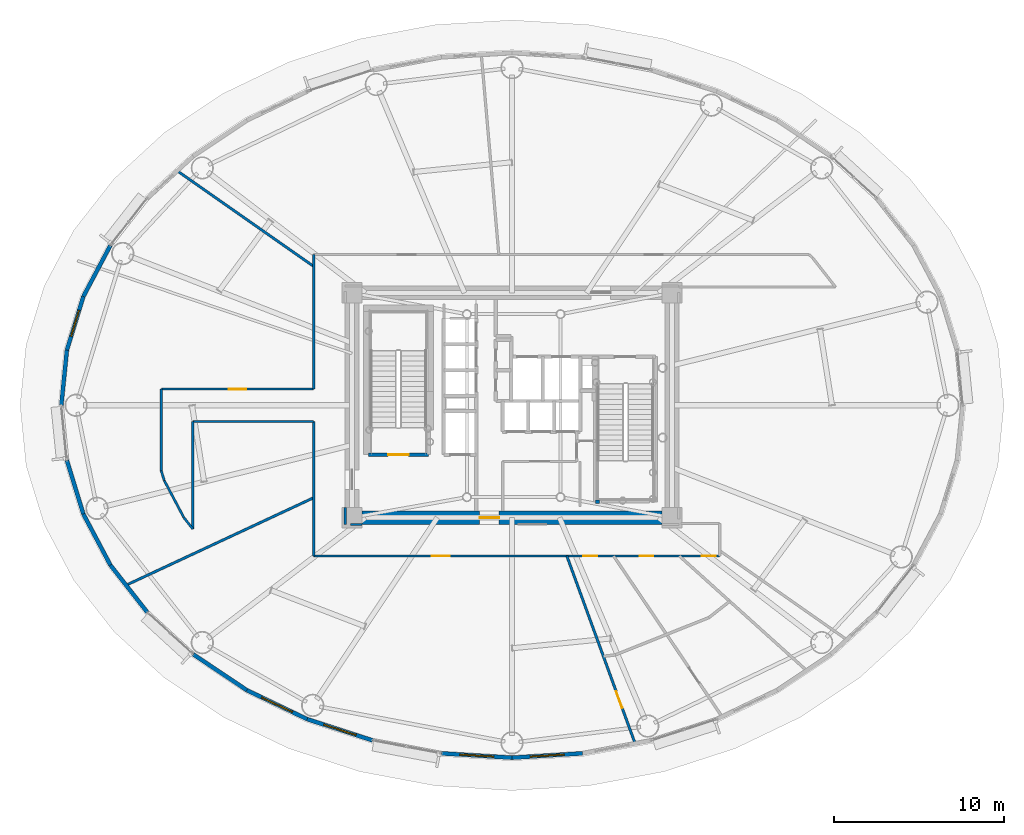
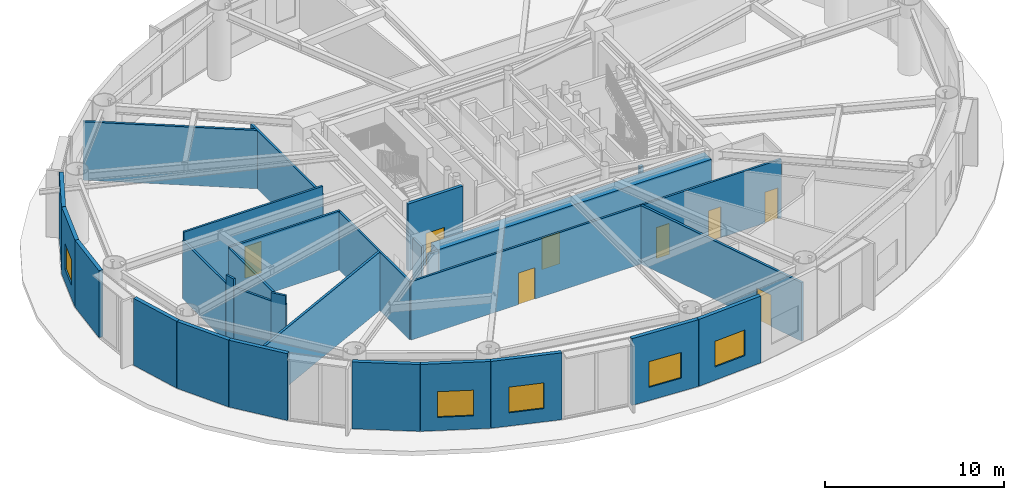
# One storey, part 27 of 38: 29 walls, 8 doors, 5 windows, 13 openings.
"""IFC4 building model written with IfcOpenShell, lengths in metres."""

from ifc_helpers import new_model, si_unit, direction, frame, frame_2d, origin, origin_2d, place, context, subcontext, project, spatial, rectangle, extrude, source, transform, mapped, material, layer, layer_set, type_object, element, fill, save


model = new_model("IFC4")

# Units and contexts
model_context = context("Model", 3, precision=1e-05, world=origin(), true_north=direction((0.0, 1.0)))
body_context = subcontext(model_context, "Body", "Model", "MODEL_VIEW")
ifc_project = project(units=[si_unit("LENGTHUNIT", "METRE"), si_unit("AREAUNIT", "SQUARE_METRE"), si_unit("VOLUMEUNIT", "CUBIC_METRE"), si_unit("PLANEANGLEUNIT", "RADIAN"), si_unit("MASSUNIT", "GRAM", prefix="KILO")], contexts=[model_context])

# Site, building, storey
site_placement = place(None, origin())
site = spatial("IfcSite", under=ifc_project, at=site_placement, CompositionType="ELEMENT")
building_placement = place(site_placement, origin())
building = spatial("IfcBuilding", under=site, at=building_placement, Name="Linh Dai School and Residence Tower", CompositionType="ELEMENT")
storey_placement = place(building_placement, frame((0.0, 0.0, 151.35009765625)))
storey = spatial("IfcBuildingStorey", under=building, at=storey_placement, Name="L36", CompositionType="ELEMENT", Elevation=151.35009765625)

# Wall
ifc_material_1 = material(Name="Precast Concrete B45 (C35/45)", Category="concrete")
ifc_layer_1 = layer(ifc_material_1, 0.239990234375)
ifc_layer_set_1 = layer_set([ifc_layer_1], Name="Precast Concrete B45 (C35/45)")
wall_type_1 = type_object("IfcWallType", Name="EW-TC-240", PredefinedType="SOLIDWALL", material=ifc_layer_set_1)
wall_1_placement = place(storey_placement, frame((10.8173828125, 33.388916015625, 0.0), z_axis=(0.0, 0.0, 1.0), x_axis=(0.467586874938, 0.88394712194, 0.0)))
element("IfcWall", 1, at=wall_1_placement, inside=storey, type_object=wall_type_1, Name="L36 Terracotta Exterior Wall 18", PredefinedType="SOLIDWALL", context=body_context, shape_type="SweptSolid", body=[
    extrude(rectangle(XDim=3.393310546875, YDim=0.239990234375, at=frame_2d((1.69677734375, 0.0))), origin(), (0.0, 0.0, 1.0), 4.5498046875),
])

# Wall, opening, window
wall_2_placement = place(storey_placement, frame((9.85009765625, 30.233642578125, 0.0), z_axis=(0.0, 0.0, 1.0), x_axis=(0.293097995113, 0.956082405058, 0.0)))
wall_2 = element("IfcWall", 2, at=wall_2_placement, inside=storey, type_object=wall_type_1, Name="L36 Terracotta Exterior Wall 19", PredefinedType="SOLIDWALL", context=body_context, shape_type="SweptSolid", body=[
    extrude(rectangle(XDim=3.30029296875, YDim=0.239990234375, at=frame_2d((1.650146484375, 0.0))), origin(), (0.0, 0.0, 1.0), 4.5498046875),
])
opening_1_placement = place(wall_2_placement, frame((0.85009765625, 0.0, 0.89990234375)))
opening_1 = element("IfcOpeningElement", 3, at=opening_1_placement, cuts=wall_2, Name="Opening W2", PredefinedType="OPENING", context=body_context, shape_type="SweptSolid", body=[
    extrude(rectangle(XDim=1.60009765625, YDim=1.75, at=origin_2d()), frame((0.800048828125, 0.1298828125, 0.875), z_axis=(0.0, -1.0, 0.0), x_axis=(1.0, 0.0, 0.0)), (0.0, 0.0, 1.0), 0.260009765625),
])
ifc_material_2 = material(Name="Double Low-E Insulated Glazing", Category="glass")
window_type_1 = type_object("IfcWindowType", Name="WN-RES-1600x1750", PartitioningType="DOUBLE_PANEL_VERTICAL", PredefinedType="WINDOW", material=ifc_material_2)
shared_shape_1 = source(origin(), body_context, "Body", "SweptSolid", [
    extrude(rectangle(XDim=1.60009765625, YDim=1.75, at=origin_2d()), frame((0.800048828125, 0.030029296875, 0.875), z_axis=(0.0, -1.0, 0.0), x_axis=(1.0, 0.0, 0.0)), (0.0, 0.0, 1.0), 0.06005859375),
])
window_1_placement = place(opening_1_placement, origin())
window_1 = element("IfcWindow", 4, at=window_1_placement, inside=storey, type_object=window_type_1, Name="L36 Exterior Window 19.1", OverallHeight=1.75, OverallWidth=1.60009765625, PartitioningType="DOUBLE_PANEL_VERTICAL", PredefinedType="WINDOW", context=body_context, shape_type="MappedRepresentation", body=[
    mapped(shared_shape_1, transform((0.0, 0.0, 0.0), x_axis=(1.0, 0.0, 0.0), y_axis=(0.0, 1.0, 0.0), z_axis=(0.0, 0.0, 1.0), scale=1.0)),
])
fill(opening_1, window_1)

# Walls
wall_3_placement = place(storey_placement, frame((9.52490234375, 27.0, 0.0), z_axis=(0.0, 0.0, 1.0), x_axis=(0.100061534614, 0.994981250723, 0.0)))
element("IfcWall", 5, at=wall_3_placement, inside=storey, type_object=wall_type_1, Name="L36 Terracotta Exterior Wall 20", PredefinedType="SOLIDWALL", context=body_context, shape_type="SweptSolid", body=[
    extrude(rectangle(XDim=3.25, YDim=0.239990234375, at=frame_2d((1.625, 0.0))), origin(), (0.0, 0.0, 1.0), 4.5498046875),
])
wall_4_placement = place(storey_placement, frame((10.8173828125, 20.611083984375, 0.0), z_axis=(0.0, 0.0, 1.0), x_axis=(-0.293097995113, 0.956082405058, 0.0)))
element("IfcWall", 6, at=wall_4_placement, inside=storey, type_object=wall_type_1, Name="L36 Terracotta Exterior Wall 22", PredefinedType="SOLIDWALL", context=body_context, shape_type="SweptSolid", body=[
    extrude(rectangle(XDim=3.30029296875, YDim=0.239990234375, at=frame_2d((1.650146484375, 0.0))), origin(), (0.0, 0.0, 1.0), 4.5498046875),
])
wall_5_placement = place(storey_placement, frame((12.404052734375, 17.611572265625, 0.0), z_axis=(0.0, 0.0, 1.0), x_axis=(-0.467586874938, 0.88394712194, 0.0)))
element("IfcWall", 7, at=wall_5_placement, inside=storey, type_object=wall_type_1, Name="L36 Terracotta Exterior Wall 23", PredefinedType="SOLIDWALL", context=body_context, shape_type="SweptSolid", body=[
    extrude(rectangle(XDim=3.393310546875, YDim=0.239990234375, at=frame_2d((1.69677734375, 0.0))), origin(), (0.0, 0.0, 1.0), 4.5498046875),
])
wall_6_placement = place(storey_placement, frame((14.57177734375, 14.841552734375, 0.0), z_axis=(0.0, 0.0, 1.0), x_axis=(-0.616287674549, 0.787521112224, 0.0)))
element("IfcWall", 8, at=wall_6_placement, inside=storey, type_object=wall_type_1, Name="L36 Terracotta Exterior Wall 24", PredefinedType="SOLIDWALL", context=body_context, shape_type="SweptSolid", body=[
    extrude(rectangle(XDim=3.517333984375, YDim=0.239990234375, at=frame_2d((1.7587890625, 0.0))), origin(), (0.0, 0.0, 1.0), 4.5498046875),
])
wall_7_placement = place(storey_placement, frame((20.4267578125, 10.2568359375, 0.0), z_axis=(0.0, 0.0, 1.0), x_axis=(-0.831228998277, 0.555930168657, 0.0)))
element("IfcWall", 9, at=wall_7_placement, inside=storey, type_object=wall_type_1, Name="L36 Terracotta Exterior Wall 26", PredefinedType="SOLIDWALL", context=body_context, shape_type="SweptSolid", body=[
    extrude(rectangle(XDim=3.800048828125, YDim=0.239990234375, at=frame_2d((1.89990234375, 0.0))), origin(), (0.0, 0.0, 1.0), 4.5498046875),
])

# Wall, opening, window
wall_8_placement = place(storey_placement, frame((23.97021484375, 8.556396484375, 0.0), z_axis=(0.0, 0.0, 1.0), x_axis=(-0.901564733809, 0.432644231155, 0.0)))
wall_8 = element("IfcWall", 10, at=wall_8_placement, inside=storey, type_object=wall_type_1, Name="L36 Terracotta Exterior Wall 27", PredefinedType="SOLIDWALL", context=body_context, shape_type="SweptSolid", body=[
    extrude(rectangle(XDim=3.930419921875, YDim=0.239990234375, at=frame_2d((1.96533203125, 0.0))), origin(), (0.0, 0.0, 1.0), 4.5498046875),
])
opening_2_placement = place(wall_8_placement, frame((0.965087890625, 0.0, 0.89990234375)))
opening_2 = element("IfcOpeningElement", 11, at=opening_2_placement, cuts=wall_8, Name="Opening W1", PredefinedType="OPENING", context=body_context, shape_type="SweptSolid", body=[
    extrude(rectangle(XDim=2.0, YDim=1.75, at=origin_2d()), frame((1.0, 0.1298828125, 0.875), z_axis=(0.0, -1.0, 0.0), x_axis=(1.0, 0.0, 0.0)), (0.0, 0.0, 1.0), 0.260009765625),
])
window_type_2 = type_object("IfcWindowType", Name="WN-RES-2000x1750", PartitioningType="DOUBLE_PANEL_VERTICAL", PredefinedType="WINDOW", material=ifc_material_2)
shared_shape_2 = source(origin(), body_context, "Body", "SweptSolid", [
    extrude(rectangle(XDim=2.0, YDim=1.75, at=origin_2d()), frame((1.0, 0.030029296875, 0.875), z_axis=(0.0, -1.0, 0.0), x_axis=(1.0, 0.0, 0.0)), (0.0, 0.0, 1.0), 0.06005859375),
])
window_2_placement = place(opening_2_placement, origin())
window_2 = element("IfcWindow", 12, at=window_2_placement, inside=storey, type_object=window_type_2, Name="L36 Exterior Window 27.1", OverallHeight=1.75, OverallWidth=2.0, PartitioningType="DOUBLE_PANEL_VERTICAL", PredefinedType="WINDOW", context=body_context, shape_type="MappedRepresentation", body=[
    mapped(shared_shape_2, transform((0.0, 0.0, 0.0), x_axis=(1.0, 0.0, 0.0), y_axis=(0.0, 1.0, 0.0), z_axis=(0.0, 0.0, 1.0), scale=1.0)),
])
fill(opening_2, window_2)

wall_9_placement = place(storey_placement, frame((27.81103515625, 7.310546875, 0.0), z_axis=(0.0, 0.0, 1.0), x_axis=(-0.951209870236, 0.30854462038, 0.0)))
wall_9 = element("IfcWall", 13, at=wall_9_placement, inside=storey, type_object=wall_type_1, Name="L36 Terracotta Exterior Wall 28", PredefinedType="SOLIDWALL", context=body_context, shape_type="SweptSolid", body=[
    extrude(rectangle(XDim=4.037841796875, YDim=0.239990234375, at=frame_2d((2.01904296875, 0.0))), origin(), (0.0, 0.0, 1.0), 4.5498046875),
])
opening_3_placement = place(wall_9_placement, frame((1.018798828125, 0.0, 0.89990234375)))
opening_3 = element("IfcOpeningElement", 14, at=opening_3_placement, cuts=wall_9, Name="Opening W1", PredefinedType="OPENING", context=body_context, shape_type="SweptSolid", body=[
    extrude(rectangle(XDim=2.0, YDim=1.75, at=origin_2d()), frame((1.0, 0.1298828125, 0.875), z_axis=(0.0, -1.0, 0.0), x_axis=(1.0, 0.0, 0.0)), (0.0, 0.0, 1.0), 0.260009765625),
])
window_3_placement = place(opening_3_placement, origin())
window_3 = element("IfcWindow", 15, at=window_3_placement, inside=storey, type_object=window_type_2, Name="L36 Exterior Window 28.1", OverallHeight=1.75, OverallWidth=2.0, PartitioningType="DOUBLE_PANEL_VERTICAL", PredefinedType="WINDOW", context=body_context, shape_type="MappedRepresentation", body=[
    mapped(shared_shape_2, transform((0.0, 0.0, 0.0), x_axis=(1.0, 0.0, 0.0), y_axis=(0.0, 1.0, 0.0), z_axis=(0.0, 0.0, 1.0), scale=1.0)),
])
fill(opening_3, window_3)

wall_10_placement = place(storey_placement, frame((36.0, 6.294921875, 0.0), z_axis=(0.0, 0.0, 1.0), x_axis=(-0.998104600619, 0.061540281305, 0.0)))
wall_10 = element("IfcWall", 16, at=wall_10_placement, inside=storey, type_object=wall_type_1, Name="L36 Terracotta Exterior Wall 30", PredefinedType="SOLIDWALL", context=body_context, shape_type="SweptSolid", body=[
    extrude(rectangle(XDim=4.153564453125, YDim=0.239990234375, at=frame_2d((2.07666015625, 0.0))), origin(), (0.0, 0.0, 1.0), 4.5498046875),
])
opening_4_placement = place(wall_10_placement, frame((1.076904296875, 0.0, 0.89990234375)))
opening_4 = element("IfcOpeningElement", 17, at=opening_4_placement, cuts=wall_10, Name="Opening W1", PredefinedType="OPENING", context=body_context, shape_type="SweptSolid", body=[
    extrude(rectangle(XDim=2.0, YDim=1.75, at=origin_2d()), frame((1.0, 0.1298828125, 0.875), z_axis=(0.0, -1.0, 0.0), x_axis=(1.0, 0.0, 0.0)), (0.0, 0.0, 1.0), 0.260009765625),
])
window_4_placement = place(opening_4_placement, origin())
window_4 = element("IfcWindow", 18, at=window_4_placement, inside=storey, type_object=window_type_2, Name="L36 Exterior Window 30.1", OverallHeight=1.75, OverallWidth=2.0, PartitioningType="DOUBLE_PANEL_VERTICAL", PredefinedType="WINDOW", context=body_context, shape_type="MappedRepresentation", body=[
    mapped(shared_shape_2, transform((0.0, 0.0, 0.0), x_axis=(1.0, 0.0, 0.0), y_axis=(0.0, 1.0, 0.0), z_axis=(0.0, 0.0, 1.0), scale=1.0)),
])
fill(opening_4, window_4)

wall_11_placement = place(storey_placement, frame((40.145751953125, 6.550537109375, 0.0), z_axis=(0.0, 0.0, 1.0), x_axis=(-0.998104600619, -0.061540281305, 0.0)))
wall_11 = element("IfcWall", 19, at=wall_11_placement, inside=storey, type_object=wall_type_1, Name="L36 Terracotta Exterior Wall 31", PredefinedType="SOLIDWALL", context=body_context, shape_type="SweptSolid", body=[
    extrude(rectangle(XDim=4.153564453125, YDim=0.239990234375, at=frame_2d((2.07666015625, 0.0))), origin(), (0.0, 0.0, 1.0), 4.5498046875),
])
opening_5_placement = place(wall_11_placement, frame((1.076904296875, 0.0, 0.89990234375)))
opening_5 = element("IfcOpeningElement", 20, at=opening_5_placement, cuts=wall_11, Name="Opening W1", PredefinedType="OPENING", context=body_context, shape_type="SweptSolid", body=[
    extrude(rectangle(XDim=2.0, YDim=1.75, at=origin_2d()), frame((1.0, 0.1298828125, 0.875), z_axis=(0.0, -1.0, 0.0), x_axis=(1.0, 0.0, 0.0)), (0.0, 0.0, 1.0), 0.260009765625),
])
window_5_placement = place(opening_5_placement, origin())
window_5 = element("IfcWindow", 21, at=window_5_placement, inside=storey, type_object=window_type_2, Name="L36 Exterior Window 31.1", OverallHeight=1.75, OverallWidth=2.0, PartitioningType="DOUBLE_PANEL_VERTICAL", PredefinedType="WINDOW", context=body_context, shape_type="MappedRepresentation", body=[
    mapped(shared_shape_2, transform((0.0, 0.0, 0.0), x_axis=(1.0, 0.0, 0.0), y_axis=(0.0, 1.0, 0.0), z_axis=(0.0, 0.0, 1.0), scale=1.0)),
])
fill(opening_5, window_5)

# Walls
ifc_material_3 = material(Name="Autoclaved Aerated Concrete Blockwork", Category="masonry")
ifc_layer_2 = layer(ifc_material_3, 0.135009765625)
ifc_layer_set_2 = layer_set([ifc_layer_2], Name="Autoclaved Aerated Concrete Blockwork")
wall_type_2 = type_object("IfcWallType", Name="IW-CORR-135-EI90", PredefinedType="PARTITIONING", material=ifc_layer_set_2)
wall_12_placement = place(storey_placement, frame((15.39990234375, 23.14599609375, 0.0), z_axis=(0.0, 0.0, 1.0), x_axis=(0.0, 1.0, 0.0)))
element("IfcWall", 22, at=wall_12_placement, inside=storey, type_object=wall_type_2, Name="L36 Interior Partition Wall 002", PredefinedType="PARTITIONING", context=body_context, shape_type="SweptSolid", body=[
    extrude(rectangle(XDim=4.803955078125, YDim=0.135009765625, at=frame_2d((2.40185546875, 0.0))), origin(), (0.0, 0.0, 1.0), 3.98486328125),
])
wall_13_placement = place(storey_placement, frame((15.39990234375, 23.14599609375, 0.0), z_axis=(0.0, 0.0, 1.0), x_axis=(0.293335154151, -0.956009669061, 0.0)))
element("IfcWall", 23, at=wall_13_placement, inside=storey, type_object=wall_type_2, Name="L36 Interior Partition Wall 003", PredefinedType="PARTITIONING", context=body_context, shape_type="SweptSolid", body=[
    extrude(rectangle(XDim=0.59423828125, YDim=0.135009765625, at=frame_2d((0.297119140625, 0.0))), origin(), (0.0, 0.0, 1.0), 4.5498046875),
])

# Wall, opening, door
wall_14_placement = place(storey_placement, frame((15.39990234375, 27.949951171875, 0.0), z_axis=(0.0, 0.0, 1.0), x_axis=(1.0, 0.0, 0.0)))
wall_14 = element("IfcWall", 24, at=wall_14_placement, inside=storey, type_object=wall_type_2, Name="L36 Interior Partition Wall 004", PredefinedType="PARTITIONING", context=body_context, shape_type="SweptSolid", body=[
    extrude(rectangle(XDim=8.9501953125, YDim=0.135009765625, at=frame_2d((4.47509765625, 0.0))), origin(), (0.0, 0.0, 1.0), 4.5498046875),
])
opening_6_placement = place(wall_14_placement, frame((3.949951171875, 0.0, 0.0)))
opening_6 = element("IfcOpeningElement", 25, at=opening_6_placement, cuts=wall_14, Name="Opening D04", PredefinedType="OPENING", context=body_context, shape_type="SweptSolid", body=[
    extrude(rectangle(XDim=1.050048828125, YDim=2.14990234375, at=origin_2d()), frame((0.52490234375, 0.07763671875, 1.074951171875), z_axis=(0.0, -1.0, 0.0), x_axis=(1.0, 0.0, 0.0)), (0.0, 0.0, 1.0), 0.155029296875),
])
ifc_material_4 = material(Name="Acoustic Vision-Panel Timber Classroom Door", Category="wood")
door_type_1 = type_object("IfcDoorType", Name="DR-SCH-1050x2150-FD60S", OperationType="NOTDEFINED", PredefinedType="DOOR", material=ifc_material_4)
shared_shape_3 = source(origin(), body_context, "Body", "SweptSolid", [
    extrude(rectangle(XDim=1.050048828125, YDim=2.14990234375, at=origin_2d()), frame((0.52490234375, 0.02490234375, 1.074951171875), z_axis=(0.0, -1.0, 0.0), x_axis=(1.0, 0.0, 0.0)), (0.0, 0.0, 1.0), 0.050048828125),
])
door_1_placement = place(opening_6_placement, origin())
door_1 = element("IfcDoor", 26, at=door_1_placement, inside=storey, type_object=door_type_1, Name="L36 Mid-Zone Sky Espresso Bar and Pantry Door", OperationType="SINGLE_SWING_LEFT", OverallHeight=2.14990234375, OverallWidth=1.050048828125, PredefinedType="DOOR", context=body_context, shape_type="MappedRepresentation", body=[
    mapped(shared_shape_3, transform((0.0, 0.0, 0.0), x_axis=(1.0, 0.0, 0.0), y_axis=(0.0, 1.0, 0.0), z_axis=(0.0, 0.0, 1.0), scale=1.0)),
])
fill(opening_6, door_1)

# Walls
wall_15_placement = place(storey_placement, frame((15.57421875, 22.577880859375, 0.0), z_axis=(0.0, 0.0, 1.0), x_axis=(0.46757196543, -0.883955008552, 0.0)))
element("IfcWall", 27, at=wall_15_placement, inside=storey, type_object=wall_type_2, Name="L36 Interior Partition Wall 005", PredefinedType="PARTITIONING", context=body_context, shape_type="SweptSolid", body=[
    extrude(rectangle(XDim=2.451416015625, YDim=0.135009765625, at=frame_2d((1.2255859375, 0.0))), origin(), (0.0, 0.0, 1.0), 3.98486328125),
])
wall_16_placement = place(storey_placement, frame((16.720458984375, 20.410888671875, 0.0), z_axis=(0.0, 0.0, 1.0), x_axis=(0.616377221056, -0.787451027914, 0.0)))
element("IfcWall", 28, at=wall_16_placement, inside=storey, type_object=wall_type_2, Name="L36 Interior Partition Wall 007", PredefinedType="PARTITIONING", context=body_context, shape_type="SweptSolid", body=[
    extrude(rectangle(XDim=0.859130859375, YDim=0.135009765625, at=frame_2d((0.4296875, 0.0))), origin(), (0.0, 0.0, 1.0), 4.5498046875),
])
wall_17_placement = place(storey_placement, frame((17.25, 19.734375, 0.0), z_axis=(0.0, 0.0, 1.0), x_axis=(0.0, 1.0, 0.0)))
element("IfcWall", 29, at=wall_17_placement, inside=storey, type_object=wall_type_2, Name="L36 Interior Partition Wall 008", PredefinedType="PARTITIONING", context=body_context, shape_type="SweptSolid", body=[
    extrude(rectangle(XDim=6.315673828125, YDim=0.135009765625, at=frame_2d((3.15771484375, 0.0))), origin(), (0.0, 0.0, 1.0), 3.98486328125),
])
wall_18_placement = place(storey_placement, frame((17.25, 26.050048828125, 0.0), z_axis=(0.0, 0.0, 1.0), x_axis=(1.0, 0.0, 0.0)))
element("IfcWall", 30, at=wall_18_placement, inside=storey, type_object=wall_type_2, Name="L36 Interior Partition Wall 009", PredefinedType="PARTITIONING", context=body_context, shape_type="SweptSolid", body=[
    extrude(rectangle(XDim=7.10009765625, YDim=0.135009765625, at=frame_2d((3.550048828125, 0.0))), origin(), (0.0, 0.0, 1.0), 4.034912109375),
])
wall_19_placement = place(storey_placement, frame((24.35009765625, 18.14990234375, 0.0), z_axis=(0.0, 0.0, 1.0), x_axis=(0.0, 1.0, 0.0)))
element("IfcWall", 31, at=wall_19_placement, inside=storey, type_object=wall_type_2, Name="L36 Interior Partition Wall 010", PredefinedType="PARTITIONING", context=body_context, shape_type="SweptSolid", body=[
    extrude(rectangle(XDim=7.900146484375, YDim=0.135009765625, at=frame_2d((3.9501953125, 0.0))), origin(), (0.0, 0.0, 1.0), 3.98486328125),
])

# Wall, openings, doors
wall_20_placement = place(storey_placement, frame((24.35009765625, 18.14990234375, 0.0), z_axis=(0.0, 0.0, 1.0), x_axis=(1.0, 0.0, 0.0)))
wall_20 = element("IfcWall", 32, at=wall_20_placement, inside=storey, type_object=wall_type_2, Name="L36 Interior Partition Wall 011", PredefinedType="PARTITIONING", context=body_context, shape_type="SweptSolid", body=[
    extrude(rectangle(XDim=23.849853515625, YDim=0.135009765625, at=frame_2d((11.9248046875, 0.0))), origin(), (0.0, 0.0, 1.0), 3.98486328125),
])
opening_7_placement = place(wall_20_placement, frame((6.9306640625, 0.0, 0.0)))
opening_7 = element("IfcOpeningElement", 33, at=opening_7_placement, cuts=wall_20, Name="Opening D04", PredefinedType="OPENING", context=body_context, shape_type="SweptSolid", body=[
    extrude(rectangle(XDim=1.050048828125, YDim=2.14990234375, at=origin_2d()), frame((0.52490234375, 0.07763671875, 1.074951171875), z_axis=(0.0, -1.0, 0.0), x_axis=(1.0, 0.0, 0.0)), (0.0, 0.0, 1.0), 0.155029296875),
])
opening_8_placement = place(wall_20_placement, frame((15.835205078125, 0.0, 0.0)))
opening_8 = element("IfcOpeningElement", 34, at=opening_8_placement, cuts=wall_20, Name="Opening D06", PredefinedType="OPENING", context=body_context, shape_type="SweptSolid", body=[
    extrude(rectangle(XDim=0.820068359375, YDim=2.10009765625, at=origin_2d()), frame((0.41015625, 0.07763671875, 1.050048828125), z_axis=(0.0, -1.0, 0.0), x_axis=(1.0, 0.0, 0.0)), (0.0, 0.0, 1.0), 0.155029296875),
])
opening_9_placement = place(wall_20_placement, frame((19.13916015625, 0.0, 0.0)))
opening_9 = element("IfcOpeningElement", 35, at=opening_9_placement, cuts=wall_20, Name="Opening D06", PredefinedType="OPENING", context=body_context, shape_type="SweptSolid", body=[
    extrude(rectangle(XDim=0.820068359375, YDim=2.10009765625, at=origin_2d()), frame((0.41015625, 0.07763671875, 1.050048828125), z_axis=(0.0, -1.0, 0.0), x_axis=(1.0, 0.0, 0.0)), (0.0, 0.0, 1.0), 0.155029296875),
])
opening_10_placement = place(wall_20_placement, frame((22.802001953125, 0.0, 0.0)))
opening_10 = element("IfcOpeningElement", 36, at=opening_10_placement, cuts=wall_20, Name="Opening D06", PredefinedType="OPENING", context=body_context, shape_type="SweptSolid", body=[
    extrude(rectangle(XDim=0.820068359375, YDim=2.10009765625, at=origin_2d()), frame((0.41015625, 0.07763671875, 1.050048828125), z_axis=(0.0, -1.0, 0.0), x_axis=(1.0, 0.0, 0.0)), (0.0, 0.0, 1.0), 0.155029296875),
])
door_2_placement = place(opening_7_placement, origin())
door_2 = element("IfcDoor", 37, at=door_2_placement, inside=storey, type_object=door_type_1, Name="L36 Mid-Zone Panorama Resident Lounge Door", OperationType="SINGLE_SWING_RIGHT", OverallHeight=2.14990234375, OverallWidth=1.050048828125, PredefinedType="DOOR", context=body_context, shape_type="MappedRepresentation", body=[
    mapped(shared_shape_3, transform((0.0, 0.0, 0.0), x_axis=(1.0, 0.0, 0.0), y_axis=(0.0, 1.0, 0.0), z_axis=(0.0, 0.0, 1.0), scale=1.0)),
])
fill(opening_7, door_2)
ifc_material_5 = material(Name="Moisture-Resistant Timber Bathroom Door", Category="wood")
door_type_2 = type_object("IfcDoorType", Name="DR-WET-820x2100", OperationType="NOTDEFINED", PredefinedType="DOOR", material=ifc_material_5)
shared_shape_4 = source(origin(), body_context, "Body", "SweptSolid", [
    extrude(rectangle(XDim=0.820068359375, YDim=2.10009765625, at=origin_2d()), frame((0.41015625, 0.02490234375, 1.050048828125), z_axis=(0.0, -1.0, 0.0), x_axis=(1.0, 0.0, 0.0)), (0.0, 0.0, 1.0), 0.050048828125),
])
door_3_placement = place(opening_8_placement, origin())
door_3 = element("IfcDoor", 38, at=door_3_placement, inside=storey, type_object=door_type_2, Name="L36 Mid-Zone Sky Lobby Male WC Door", OperationType="SINGLE_SWING_LEFT", OverallHeight=2.10009765625, OverallWidth=0.820068359375, PredefinedType="DOOR", context=body_context, shape_type="MappedRepresentation", body=[
    mapped(shared_shape_4, transform((0.0, 0.0, 0.0), x_axis=(1.0, 0.0, 0.0), y_axis=(0.0, 1.0, 0.0), z_axis=(0.0, 0.0, 1.0), scale=1.0)),
])
fill(opening_8, door_3)
door_4_placement = place(opening_9_placement, origin())
door_4 = element("IfcDoor", 39, at=door_4_placement, inside=storey, type_object=door_type_2, Name="L36 Mid-Zone Sky Lobby Female WC Door", OperationType="SINGLE_SWING_LEFT", OverallHeight=2.10009765625, OverallWidth=0.820068359375, PredefinedType="DOOR", context=body_context, shape_type="MappedRepresentation", body=[
    mapped(shared_shape_4, transform((0.0, 0.0, 0.0), x_axis=(1.0, 0.0, 0.0), y_axis=(0.0, 1.0, 0.0), z_axis=(0.0, 0.0, 1.0), scale=1.0)),
])
fill(opening_9, door_4)
door_5_placement = place(opening_10_placement, origin())
door_5 = element("IfcDoor", 40, at=door_5_placement, inside=storey, type_object=door_type_2, Name="L36 Mid-Zone Sky Lobby Accessible WC Door", OperationType="SINGLE_SWING_LEFT", OverallHeight=2.10009765625, OverallWidth=0.820068359375, PredefinedType="DOOR", context=body_context, shape_type="MappedRepresentation", body=[
    mapped(shared_shape_4, transform((0.0, 0.0, 0.0), x_axis=(1.0, 0.0, 0.0), y_axis=(0.0, 1.0, 0.0), z_axis=(0.0, 0.0, 1.0), scale=1.0)),
])
fill(opening_10, door_5)

# Walls
wall_21_placement = place(storey_placement, frame((24.35009765625, 27.949951171875, 0.0), z_axis=(0.0, 0.0, 1.0), x_axis=(0.0, 1.0, 0.0)))
element("IfcWall", 41, at=wall_21_placement, inside=storey, type_object=wall_type_2, Name="L36 Interior Partition Wall 012", PredefinedType="PARTITIONING", context=body_context, shape_type="SweptSolid", body=[
    extrude(rectangle(XDim=7.900146484375, YDim=0.135009765625, at=frame_2d((3.9501953125, 0.0))), origin(), (0.0, 0.0, 1.0), 3.98486328125),
])
wall_22_placement = place(storey_placement, frame((26.199951171875, 20.989990234375, 0.0), z_axis=(0.0, 0.0, 1.0), x_axis=(0.0, -1.0, 0.0)))
element("IfcWall", 42, at=wall_22_placement, inside=storey, type_object=wall_type_2, Name="L36 Interior Partition Wall 066", PredefinedType="PARTITIONING", context=body_context, shape_type="SweptSolid", body=[
    extrude(rectangle(XDim=0.989990234375, YDim=0.135009765625, at=frame_2d((0.4951171875, 0.0))), origin(), (0.0, 0.0, 1.0), 4.5498046875),
])
wall_23_placement = place(storey_placement, frame((26.507568359375, 20.0, 0.0), z_axis=(0.0, 0.0, 1.0), x_axis=(1.0, 0.0, 0.0)))
element("IfcWall", 43, at=wall_23_placement, inside=storey, type_object=wall_type_2, Name="L36 Interior Partition Wall 067", PredefinedType="PARTITIONING", context=body_context, shape_type="SweptSolid", body=[
    extrude(rectangle(XDim=0.682373046875, YDim=0.135009765625, at=frame_2d((0.34130859375, 0.0))), origin(), (0.0, 0.0, 1.0), 3.98486328125),
])
ifc_layer_3 = layer(ifc_material_3, 0.14990234375)
ifc_layer_set_3 = layer_set([ifc_layer_3], Name="Autoclaved Aerated Concrete Blockwork")
wall_type_3 = type_object("IfcWallType", Name="IW-SCH-150-EI60", PredefinedType="PARTITIONING", material=ifc_layer_set_3)
wall_24_placement = place(storey_placement, frame((13.324951171875, 16.426513671875, 0.0), z_axis=(0.0, 0.0, 1.0), x_axis=(0.906307691216, 0.42261846723, 0.0)))
element("IfcWall", 44, at=wall_24_placement, inside=storey, type_object=wall_type_3, Name="L36 Interior Partition Wall 001", PredefinedType="PARTITIONING", context=body_context, shape_type="SweptSolid", body=[
    extrude(rectangle(XDim=12.164794921875, YDim=0.14990234375, at=frame_2d((6.08251953125, 0.0))), origin(), (0.0, 0.0, 1.0), 3.98486328125),
])
wall_25_placement = place(storey_placement, frame((16.327392578125, 40.77490234375, 0.0), z_axis=(0.0, 0.0, 1.0), x_axis=(0.81915813363, -0.573567739773, 0.0)))
element("IfcWall", 45, at=wall_25_placement, inside=storey, type_object=wall_type_3, Name="L36 Interior Partition Wall 006", PredefinedType="PARTITIONING", context=body_context, shape_type="SweptSolid", body=[
    extrude(rectangle(XDim=9.7939453125, YDim=0.14990234375, at=frame_2d((4.89697265625, 0.0))), origin(), (0.0, 0.0, 1.0), 3.98486328125),
])

# Wall, opening, door
wall_26_placement = place(storey_placement, frame((39.22119140625, 18.14990234375, 0.0), z_axis=(0.0, 0.0, 1.0), x_axis=(0.342025436493, -0.939690694214, 0.0)))
wall_26 = element("IfcWall", 46, at=wall_26_placement, inside=storey, type_object=wall_type_3, Name="L36 Interior Partition Wall 039", PredefinedType="PARTITIONING", context=body_context, shape_type="SweptSolid", body=[
    extrude(rectangle(XDim=11.7314453125, YDim=0.14990234375, at=frame_2d((5.86572265625, 0.0))), origin(), (0.0, 0.0, 1.0), 3.98486328125),
])
opening_11_placement = place(wall_26_placement, frame((8.459228515625, 0.0, 0.0)))
opening_11 = element("IfcOpeningElement", 47, at=opening_11_placement, cuts=wall_26, Name="Opening D04", PredefinedType="OPENING", context=body_context, shape_type="SweptSolid", body=[
    extrude(rectangle(XDim=1.050048828125, YDim=2.14990234375, at=origin_2d()), frame((0.52490234375, 0.0849609375, 1.074951171875), z_axis=(0.0, -1.0, 0.0), x_axis=(1.0, 0.0, 0.0)), (0.0, 0.0, 1.0), 0.169921875),
])
door_6_placement = place(opening_11_placement, origin())
door_6 = element("IfcDoor", 48, at=door_6_placement, inside=storey, type_object=door_type_1, Name="L36 Mid-Zone Sky Sitting Alcove MWC Door", OperationType="SINGLE_SWING_RIGHT", OverallHeight=2.14990234375, OverallWidth=1.050048828125, PredefinedType="DOOR", context=body_context, shape_type="MappedRepresentation", body=[
    mapped(shared_shape_3, transform((0.0, 0.0, 0.0), x_axis=(1.0, 0.0, 0.0), y_axis=(0.0, 1.0, 0.0), z_axis=(0.0, 0.0, 1.0), scale=1.0)),
])
fill(opening_11, door_6)

ifc_material_6 = material(Name="Concrete B45 (C35/45)", Category="concrete")
ifc_layer_4 = layer(ifc_material_6, 0.199951171875)
ifc_layer_set_4 = layer_set([ifc_layer_4], Name="Concrete B45 (C35/45)")
wall_type_4 = type_object("IfcWallType", Name="IW-SHAFT-200-EI120", PredefinedType="PARTITIONING", material=ifc_layer_set_4)
wall_27_placement = place(storey_placement, frame((27.56005859375, 24.10009765625, 0.0), z_axis=(0.0, 0.0, 1.0), x_axis=(1.0, 0.0, 0.0)))
wall_27 = element("IfcWall", 49, at=wall_27_placement, inside=storey, type_object=wall_type_4, Name="L36 Interior Partition Wall 014", PredefinedType="PARTITIONING", context=body_context, shape_type="SweptSolid", body=[
    extrude(rectangle(XDim=3.5400390625, YDim=0.199951171875, at=frame_2d((1.77001953125, 0.0))), origin(), (0.0, 0.0, 1.0), 4.5498046875),
])
opening_12_placement = place(wall_27_placement, frame((1.169921875, 0.0, 0.0)))
opening_12 = element("IfcOpeningElement", 50, at=opening_12_placement, cuts=wall_27, Name="Opening D01", PredefinedType="OPENING", context=body_context, shape_type="SweptSolid", body=[
    extrude(rectangle(XDim=1.199951171875, YDim=2.14990234375, at=origin_2d()), frame((0.60009765625, 0.10986328125, 1.074951171875), z_axis=(0.0, -1.0, 0.0), x_axis=(1.0, 0.0, 0.0)), (0.0, 0.0, 1.0), 0.219970703125),
])
ifc_material_7 = material(Name="Fire-Rated Steel Door Leaf", Category="steel")
door_type_3 = type_object("IfcDoorType", Name="DR-STAIR-1200x2150-FD90S", OperationType="NOTDEFINED", PredefinedType="DOOR", material=ifc_material_7)
shared_shape_5 = source(origin(), body_context, "Body", "SweptSolid", [
    extrude(rectangle(XDim=1.199951171875, YDim=2.14990234375, at=origin_2d()), frame((0.60009765625, 0.02490234375, 1.074951171875), z_axis=(0.0, -1.0, 0.0), x_axis=(1.0, 0.0, 0.0)), (0.0, 0.0, 1.0), 0.050048828125),
])
door_7_placement = place(opening_12_placement, origin())
door_7 = element("IfcDoor", 51, at=door_7_placement, inside=storey, type_object=door_type_3, Name="L36 Core Smokeproof Exit Stair ST1 Door", OperationType="SINGLE_SWING_RIGHT", OverallHeight=2.14990234375, OverallWidth=1.199951171875, PredefinedType="DOOR", context=body_context, shape_type="MappedRepresentation", body=[
    mapped(shared_shape_5, transform((0.0, 0.0, 0.0), x_axis=(1.0, 0.0, 0.0), y_axis=(0.0, 1.0, 0.0), z_axis=(0.0, 0.0, 1.0), scale=1.0)),
])
fill(opening_12, door_7)

# Wall
wall_28_placement = place(storey_placement, frame((40.89990234375, 21.330078125, 0.0), z_axis=(0.0, 0.0, 1.0), x_axis=(1.0, 0.0, 0.0)))
element("IfcWall", 52, at=wall_28_placement, inside=storey, type_object=wall_type_4, Name="L36 Interior Partition Wall 045", PredefinedType="PARTITIONING", context=body_context, shape_type="SweptSolid", body=[
    extrude(rectangle(XDim=0.25, YDim=0.199951171875, at=frame_2d((0.125, 0.0))), origin(), (0.0, 0.0, 1.0), 4.0849609375),
])

# Wall, opening, door
ifc_material_8 = material(Name="Concrete B60 (C50/60)", Category="concrete")
ifc_layer_5 = layer(ifc_material_8, 0.800048828125)
ifc_layer_set_5 = layer_set([ifc_layer_5], Name="Concrete B60 (C50/60)")
wall_type_5 = type_object("IfcWallType", Name="WL-CORE800", PredefinedType="SHEAR", material=ifc_layer_set_5)
wall_29_placement = place(storey_placement, frame((44.800048828125, 20.39990234375, 0.0), z_axis=(0.0, 0.0, 1.0), x_axis=(-1.0, 0.0, 0.0)))
wall_29 = element("IfcWall", 53, at=wall_29_placement, inside=storey, type_object=wall_type_5, Name="L36 Central Core Shear Wall S", PredefinedType="SHEAR", context=body_context, shape_type="SweptSolid", body=[
    extrude(rectangle(XDim=17.60009765625, YDim=0.800048828125, at=frame_2d((8.800048828125, 0.0))), origin(), (0.0, 0.0, 1.0), 4.0),
])
opening_13_placement = place(wall_29_placement, frame((9.550048828125, 0.0, 0.0)))
opening_13 = element("IfcOpeningElement", 54, at=opening_13_placement, cuts=wall_29, Name="Opening D02", PredefinedType="OPENING", context=body_context, shape_type="SweptSolid", body=[
    extrude(rectangle(XDim=1.14990234375, YDim=2.14990234375, at=origin_2d()), frame((0.574951171875, 0.41015625, 1.074951171875), z_axis=(0.0, -1.0, 0.0), x_axis=(1.0, 0.0, 0.0)), (0.0, 0.0, 1.0), 0.820068359375),
])
ifc_material_9 = material(Name="Fire-Rated Glazed Steel Lobby Door", Category="steel")
door_type_4 = type_object("IfcDoorType", Name="DR-LOBBY-1150x2150-FD90S", OperationType="NOTDEFINED", PredefinedType="DOOR", material=ifc_material_9)
shared_shape_6 = source(origin(), body_context, "Body", "SweptSolid", [
    extrude(rectangle(XDim=1.14990234375, YDim=2.14990234375, at=origin_2d()), frame((0.574951171875, 0.02490234375, 1.074951171875), z_axis=(0.0, -1.0, 0.0), x_axis=(1.0, 0.0, 0.0)), (0.0, 0.0, 1.0), 0.050048828125),
])
door_8_placement = place(opening_13_placement, origin())
door_8 = element("IfcDoor", 55, at=door_8_placement, inside=storey, type_object=door_type_4, Name="L36 Passenger Foyer Access Door", OperationType="SINGLE_SWING_LEFT", OverallHeight=2.14990234375, OverallWidth=1.14990234375, PredefinedType="DOOR", context=body_context, shape_type="MappedRepresentation", body=[
    mapped(shared_shape_6, transform((0.0, 0.0, 0.0), x_axis=(1.0, 0.0, 0.0), y_axis=(0.0, 1.0, 0.0), z_axis=(0.0, 0.0, 1.0), scale=1.0)),
])
fill(opening_13, door_8)

save(model, "model.ifc")
